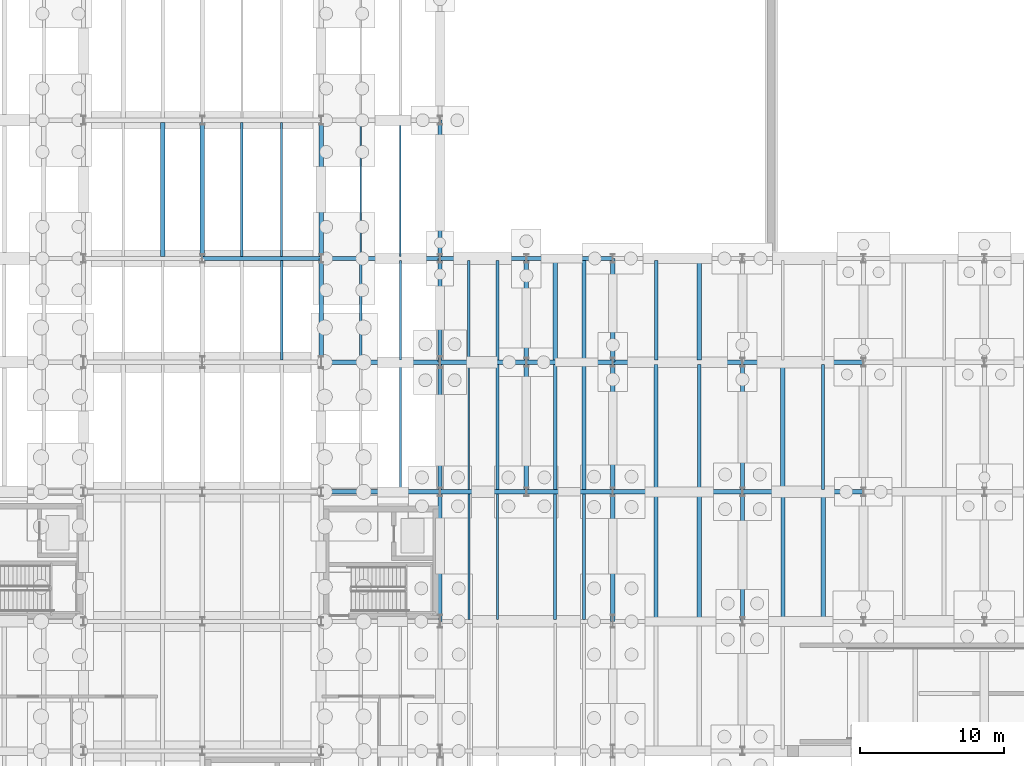
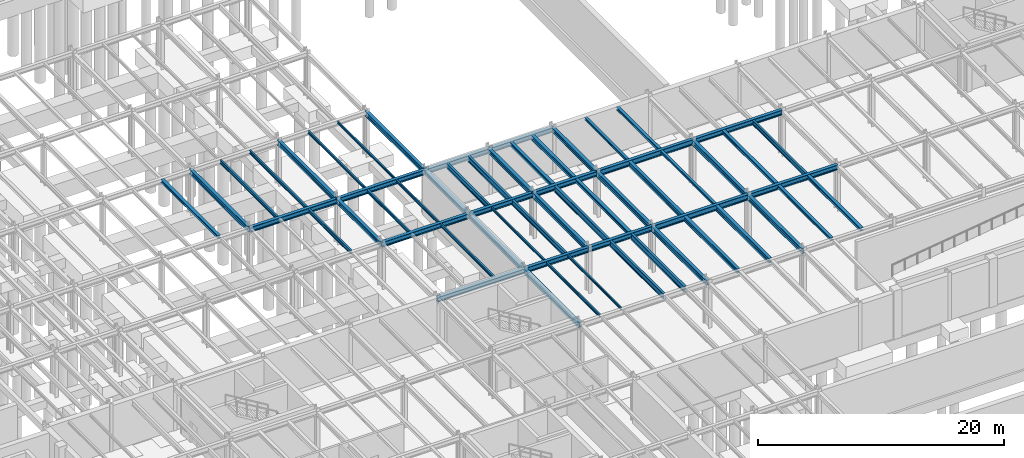
# One storey, part 31 of 59: 59 beams.
"""IFC4 building model written with IfcOpenShell, lengths in metres."""

from ifc_helpers import new_model, si_unit, direction, frame, origin, origin_2d, place, context, subcontext, project, spatial, i_section, extrude, material, material_profile, profile_set, type_object, element, save


model = new_model("IFC4")

# Units and contexts
model_context = context("Model", 3, precision=1e-05, world=origin(), true_north=direction((0.0, 1.0)))
body_context = subcontext(model_context, "Body", "Model", "MODEL_VIEW")
ifc_project = project(units=[si_unit("LENGTHUNIT", "METRE"), si_unit("AREAUNIT", "SQUARE_METRE"), si_unit("VOLUMEUNIT", "CUBIC_METRE"), si_unit("PLANEANGLEUNIT", "RADIAN"), si_unit("MASSUNIT", "GRAM", prefix="KILO")], contexts=[model_context])

# Site, building, storey
site_placement = place(None, origin())
site = spatial("IfcSite", under=ifc_project, at=site_placement, CompositionType="ELEMENT")
building_placement = place(site_placement, origin())
building = spatial("IfcBuilding", under=site, at=building_placement, Name="Montealbar Specialist Clinic", CompositionType="ELEMENT")
storey_placement = place(building_placement, frame((0.0, 0.0, -4.800048828125)))
storey = spatial("IfcBuildingStorey", under=building, at=storey_placement, Name="B01", CompositionType="ELEMENT", Elevation=-4.800048828125)

# Beams
ifc_material = material(Name="Steel S355", Category="steel")
ifc_material_profile_1 = material_profile(ifc_material, i_section(OverallWidth=0.300048828125, OverallDepth=0.449951171875, WebThickness=0.013916015625, FlangeThickness=0.02587890625, FilletRadius=0.027099609375, at=origin_2d()), Name="HEB 450", Category="steel")
ifc_profile_set_1 = profile_set([ifc_material_profile_1], Name="Steel S355")
beam_type_1 = type_object("IfcBeamType", Name="BM-GIRD-HEB450", PredefinedType="BEAM", material=ifc_profile_set_1)
for number, where, z_axis, x_axis, name in (
    (1, (90.75, 45.0, 4.255126953125), (0.0, 1.0, 0.0), (-1.0, 0.0, 0.0), "Beam GY-B01-908-450-522"),
    (2, (99.0, 45.0, 4.255126953125), (0.0, 1.0, 0.0), (-1.0, 0.0, 0.0), "Beam GY-B01-990-450-522"),
    (3, (105.0, 45.0, 4.255126953125), (0.0, 1.0, 0.0), (-1.0, 0.0, 0.0), "Beam GY-B01-1050-450-522"),
    (4, (111.0, 45.0, 4.255126953125), (0.0, 1.0, 0.0), (-1.0, 0.0, 0.0), "Beam GY-B01-1110-450-522"),
):
    element("IfcBeam", number, at=place(storey_placement, frame(where, z_axis=z_axis, x_axis=x_axis)), inside=storey, type_object=beam_type_1, Name=name, PredefinedType="BEAM", context=body_context, shape_type="SweptSolid", body=[
        extrude(i_section(OverallWidth=0.300048828125, OverallDepth=0.449951171875, WebThickness=0.013916015625, FlangeThickness=0.02587890625, FilletRadius=0.027099609375, at=origin_2d()), origin(), (0.0, 0.0, 1.0), 7.199951171875),
    ])
ifc_material_profile_2 = material_profile(ifc_material, i_section(OverallWidth=0.300048828125, OverallDepth=0.5, WebThickness=0.014404296875, FlangeThickness=0.028076171875, FilletRadius=0.027099609375, at=origin_2d()), Name="HEB 500", Category="steel")
ifc_profile_set_2 = profile_set([ifc_material_profile_2], Name="Steel S355")
beam_type_2 = type_object("IfcBeamType", Name="BM-GIRD-HEB500", PredefinedType="BEAM", material=ifc_profile_set_2)
beam_1_placement = place(storey_placement, frame((90.75, 36.0, 4.22998046875), z_axis=(1.0, 0.0, 0.0), x_axis=(0.0, 1.0, 0.0)))
element("IfcBeam", 5, at=beam_1_placement, inside=storey, type_object=beam_type_2, Name="Beam GX-B01-908-990-360", PredefinedType="BEAM", context=body_context, shape_type="SweptSolid", body=[
    extrude(i_section(OverallWidth=0.300048828125, OverallDepth=0.5, WebThickness=0.014404296875, FlangeThickness=0.028076171875, FilletRadius=0.027099609375, at=origin_2d()), origin(), (0.0, 0.0, 1.0), 8.25),
])
for number, where, z_axis, x_axis, name in (
    (6, (99.0, 36.0, 4.22998046875), (1.0, 0.0, 0.0), (0.0, 1.0, 0.0), "Beam GX-B01-990-1050-360"),
    (7, (105.0, 36.0, 4.22998046875), (1.0, 0.0, 0.0), (0.0, 1.0, 0.0), "Beam GX-B01-1050-1110-360"),
):
    element("IfcBeam", number, at=place(storey_placement, frame(where, z_axis=z_axis, x_axis=x_axis)), inside=storey, type_object=beam_type_2, Name=name, PredefinedType="BEAM", context=body_context, shape_type="SweptSolid", body=[
        extrude(i_section(OverallWidth=0.300048828125, OverallDepth=0.5, WebThickness=0.014404296875, FlangeThickness=0.028076171875, FilletRadius=0.027099609375, at=origin_2d()), origin(), (0.0, 0.0, 1.0), 6.0),
    ])
beam_2_placement = place(storey_placement, frame((90.75, 45.0, 4.22998046875), z_axis=(1.0, 0.0, 0.0), x_axis=(0.0, 1.0, 0.0)))
element("IfcBeam", 8, at=beam_2_placement, inside=storey, type_object=beam_type_2, Name="Beam GX-B01-908-990-450", PredefinedType="BEAM", context=body_context, shape_type="SweptSolid", body=[
    extrude(i_section(OverallWidth=0.300048828125, OverallDepth=0.5, WebThickness=0.014404296875, FlangeThickness=0.028076171875, FilletRadius=0.027099609375, at=origin_2d()), origin(), (0.0, 0.0, 1.0), 8.25),
])
for number, where, z_axis, x_axis, name in (
    (9, (99.0, 45.0, 4.22998046875), (1.0, 0.0, 0.0), (0.0, 1.0, 0.0), "Beam GX-B01-990-1050-450"),
    (10, (105.0, 45.0, 4.22998046875), (1.0, 0.0, 0.0), (0.0, 1.0, 0.0), "Beam GX-B01-1050-1110-450"),
):
    element("IfcBeam", number, at=place(storey_placement, frame(where, z_axis=z_axis, x_axis=x_axis)), inside=storey, type_object=beam_type_2, Name=name, PredefinedType="BEAM", context=body_context, shape_type="SweptSolid", body=[
        extrude(i_section(OverallWidth=0.300048828125, OverallDepth=0.5, WebThickness=0.014404296875, FlangeThickness=0.028076171875, FilletRadius=0.027099609375, at=origin_2d()), origin(), (0.0, 0.0, 1.0), 6.0),
    ])
beam_3_placement = place(storey_placement, frame((120.0, 45.0, 4.22998046875), z_axis=(1.0, 0.0, 0.0), x_axis=(0.0, 1.0, 0.0)))
element("IfcBeam", 11, at=beam_3_placement, inside=storey, type_object=beam_type_2, Name="Beam GX-B01-1200-1284-450", PredefinedType="BEAM", context=body_context, shape_type="SweptSolid", body=[
    extrude(i_section(OverallWidth=0.300048828125, OverallDepth=0.5, WebThickness=0.014404296875, FlangeThickness=0.028076171875, FilletRadius=0.027099609375, at=origin_2d()), origin(), (0.0, 0.0, 1.0), 8.39990234375),
])
for number, where, z_axis, x_axis, name in (
    (12, (82.5, 52.199951171875, 4.22998046875), (1.0, 0.0, 0.0), (0.0, 1.0, 0.0), "Beam GX-B01-825-908-522"),
    (13, (90.75, 52.199951171875, 4.22998046875), (1.0, 0.0, 0.0), (0.0, 1.0, 0.0), "Beam GX-B01-908-990-522"),
):
    element("IfcBeam", number, at=place(storey_placement, frame(where, z_axis=z_axis, x_axis=x_axis)), inside=storey, type_object=beam_type_2, Name=name, PredefinedType="BEAM", context=body_context, shape_type="SweptSolid", body=[
        extrude(i_section(OverallWidth=0.300048828125, OverallDepth=0.5, WebThickness=0.014404296875, FlangeThickness=0.028076171875, FilletRadius=0.027099609375, at=origin_2d()), origin(), (0.0, 0.0, 1.0), 8.25),
    ])
for number, where, z_axis, x_axis, name in (
    (14, (82.5, 52.199951171875, 4.22998046875), (0.0, 1.0, 0.0), (-1.0, 0.0, 0.0), "Beam GY-B01-825-522-618"),
    (15, (90.75, 52.199951171875, 4.22998046875), (0.0, 1.0, 0.0), (-1.0, 0.0, 0.0), "Beam GY-B01-908-522-618"),
):
    element("IfcBeam", number, at=place(storey_placement, frame(where, z_axis=z_axis, x_axis=x_axis)), inside=storey, type_object=beam_type_2, Name=name, PredefinedType="BEAM", context=body_context, shape_type="SweptSolid", body=[
        extrude(i_section(OverallWidth=0.300048828125, OverallDepth=0.5, WebThickness=0.014404296875, FlangeThickness=0.028076171875, FilletRadius=0.027099609375, at=origin_2d()), origin(), (0.0, 0.0, 1.0), 9.60009765625),
    ])
for number, where, z_axis, x_axis, name in (
    (16, (99.0, 27.0, 4.22998046875), (0.0, 1.0, 0.0), (-1.0, 0.0, 0.0), "Beam GY-B01-990-270-360"),
    (17, (99.0, 36.0, 4.22998046875), (0.0, 1.0, 0.0), (-1.0, 0.0, 0.0), "Beam GY-B01-990-360-450"),
    (18, (105.0, 36.0, 4.22998046875), (0.0, 1.0, 0.0), (-1.0, 0.0, 0.0), "Beam GY-B01-1050-360-450"),
    (19, (111.0, 27.0, 4.22998046875), (0.0, 1.0, 0.0), (-1.0, 0.0, 0.0), "Beam GY-B01-1110-270-360"),
    (20, (111.0, 36.0, 4.22998046875), (0.0, 1.0, 0.0), (-1.0, 0.0, 0.0), "Beam GY-B01-1110-360-450"),
    (21, (120.0, 36.0, 4.22998046875), (0.0, 1.0, 0.0), (-1.0, 0.0, 0.0), "Beam GY-B01-1200-360-450"),
):
    element("IfcBeam", number, at=place(storey_placement, frame(where, z_axis=z_axis, x_axis=x_axis)), inside=storey, type_object=beam_type_2, Name=name, PredefinedType="BEAM", context=body_context, shape_type="SweptSolid", body=[
        extrude(i_section(OverallWidth=0.300048828125, OverallDepth=0.5, WebThickness=0.014404296875, FlangeThickness=0.028076171875, FilletRadius=0.027099609375, at=origin_2d()), origin(), (0.0, 0.0, 1.0), 9.0),
    ])
ifc_material_profile_3 = material_profile(ifc_material, i_section(OverallWidth=0.300048828125, OverallDepth=0.5, WebThickness=0.014404296875, FlangeThickness=0.028076171875, FilletRadius=0.027099609375, at=origin_2d()), Name="HEB 500", Category="steel")
ifc_profile_set_3 = profile_set([ifc_material_profile_3], Name="Steel S355")
beam_type_3 = type_object("IfcBeamType", Name="BM-GIRD-HEB500-EXT", PredefinedType="BEAM", material=ifc_profile_set_3)
beam_4_placement = place(storey_placement, frame((120.0, 36.0, 4.22998046875), z_axis=(1.0, 0.0, 0.0), x_axis=(0.0, 1.0, 0.0)))
element("IfcBeam", 22, at=beam_4_placement, inside=storey, type_object=beam_type_3, Name="Beam GX-B01-1200-1284-360", PredefinedType="BEAM", context=body_context, shape_type="SweptSolid", body=[
    extrude(i_section(OverallWidth=0.300048828125, OverallDepth=0.5, WebThickness=0.014404296875, FlangeThickness=0.028076171875, FilletRadius=0.027099609375, at=origin_2d()), origin(), (0.0, 0.0, 1.0), 8.39990234375),
])
for number, where, z_axis, x_axis, name in (
    (23, (99.0, 52.199951171875, 4.22998046875), (1.0, 0.0, 0.0), (0.0, 1.0, 0.0), "Beam GX-B01-990-1050-522"),
    (24, (105.0, 52.199951171875, 4.22998046875), (1.0, 0.0, 0.0), (0.0, 1.0, 0.0), "Beam GX-B01-1050-1110-522"),
):
    element("IfcBeam", number, at=place(storey_placement, frame(where, z_axis=z_axis, x_axis=x_axis)), inside=storey, type_object=beam_type_3, Name=name, PredefinedType="BEAM", context=body_context, shape_type="SweptSolid", body=[
        extrude(i_section(OverallWidth=0.300048828125, OverallDepth=0.5, WebThickness=0.014404296875, FlangeThickness=0.028076171875, FilletRadius=0.027099609375, at=origin_2d()), origin(), (0.0, 0.0, 1.0), 6.0),
    ])
beam_5_placement = place(storey_placement, frame((99.0, 52.199951171875, 4.22998046875), z_axis=(0.0, 1.0, 0.0), x_axis=(-1.0, 0.0, 0.0)))
element("IfcBeam", 25, at=beam_5_placement, inside=storey, type_object=beam_type_3, Name="Beam GY-B01-990-522-618", PredefinedType="BEAM", context=body_context, shape_type="SweptSolid", body=[
    extrude(i_section(OverallWidth=0.300048828125, OverallDepth=0.5, WebThickness=0.014404296875, FlangeThickness=0.028076171875, FilletRadius=0.027099609375, at=origin_2d()), origin(), (0.0, 0.0, 1.0), 9.60009765625),
])
beam_6_placement = place(storey_placement, frame((120.0, 27.0, 4.22998046875), z_axis=(0.0, 1.0, 0.0), x_axis=(-1.0, 0.0, 0.0)))
element("IfcBeam", 26, at=beam_6_placement, inside=storey, type_object=beam_type_3, Name="Beam GY-B01-1200-270-360", PredefinedType="BEAM", context=body_context, shape_type="SweptSolid", body=[
    extrude(i_section(OverallWidth=0.300048828125, OverallDepth=0.5, WebThickness=0.014404296875, FlangeThickness=0.028076171875, FilletRadius=0.027099609375, at=origin_2d()), origin(), (0.0, 0.0, 1.0), 9.0),
])
ifc_material_profile_4 = material_profile(ifc_material, i_section(OverallWidth=0.300048828125, OverallDepth=0.550048828125, WebThickness=0.014892578125, FlangeThickness=0.029052734375, FilletRadius=0.027099609375, at=origin_2d()), Name="HEB 550", Category="steel")
ifc_profile_set_4 = profile_set([ifc_material_profile_4], Name="Steel S355")
beam_type_4 = type_object("IfcBeamType", Name="BM-GIRD-HEB550", PredefinedType="BEAM", material=ifc_profile_set_4)
for number, where, z_axis, x_axis, name in (
    (27, (111.0, 36.0, 4.205078125), (1.0, 0.0, 0.0), (0.0, 1.0, 0.0), "Beam GX-B01-1110-1200-360"),
    (28, (111.0, 45.0, 4.205078125), (1.0, 0.0, 0.0), (0.0, 1.0, 0.0), "Beam GX-B01-1110-1200-450"),
):
    element("IfcBeam", number, at=place(storey_placement, frame(where, z_axis=z_axis, x_axis=x_axis)), inside=storey, type_object=beam_type_4, Name=name, PredefinedType="BEAM", context=body_context, shape_type="SweptSolid", body=[
        extrude(i_section(OverallWidth=0.300048828125, OverallDepth=0.550048828125, WebThickness=0.014892578125, FlangeThickness=0.029052734375, FilletRadius=0.027099609375, at=origin_2d()), origin(), (0.0, 0.0, 1.0), 9.0),
    ])
ifc_material_profile_5 = material_profile(ifc_material, i_section(OverallWidth=0.300048828125, OverallDepth=0.35009765625, WebThickness=0.010009765625, FlangeThickness=0.017578125, FilletRadius=0.027099609375, at=origin_2d()), Name="HEA 360", Category="steel")
ifc_profile_set_5 = profile_set([ifc_material_profile_5], Name="Steel S355")
beam_type_5 = type_object("IfcBeamType", Name="BM-JST-HEA360", PredefinedType="JOIST", material=ifc_profile_set_5)
beam_7_placement = place(storey_placement, frame((109.0, 36.14990234375, 4.304931640625), z_axis=(0.0, 1.0, 0.0), x_axis=(-1.0, 0.0, 0.0)))
element("IfcBeam", 29, at=beam_7_placement, inside=storey, type_object=beam_type_5, Name="Beam JST-B01-1090-362-448", PredefinedType="JOIST", context=body_context, shape_type="SweptSolid", body=[
    extrude(i_section(OverallWidth=0.300048828125, OverallDepth=0.35009765625, WebThickness=0.010009765625, FlangeThickness=0.017578125, FilletRadius=0.027099609375, at=origin_2d()), origin(), (0.0, 0.0, 1.0), 8.7001953125),
])
beam_8_placement = place(storey_placement, frame((107.0, 45.14990234375, 4.304931640625), z_axis=(0.0, 1.0, 0.0), x_axis=(-1.0, 0.0, 0.0)))
element("IfcBeam", 30, at=beam_8_placement, inside=storey, type_object=beam_type_5, Name="Beam JST-B01-1070-452-520", PredefinedType="JOIST", context=body_context, shape_type="SweptSolid", body=[
    extrude(i_section(OverallWidth=0.300048828125, OverallDepth=0.35009765625, WebThickness=0.010009765625, FlangeThickness=0.017578125, FilletRadius=0.027099609375, at=origin_2d()), origin(), (0.0, 0.0, 1.0), 6.900146484375),
])
ifc_material_profile_6 = material_profile(ifc_material, i_section(OverallWidth=0.300048828125, OverallDepth=0.43994140625, WebThickness=0.011474609375, FlangeThickness=0.02099609375, FilletRadius=0.027099609375, at=origin_2d()), Name="HEA 450", Category="steel")
ifc_profile_set_6 = profile_set([ifc_material_profile_6], Name="Steel S355")
beam_type_6 = type_object("IfcBeamType", Name="BM-JST-HEA450", PredefinedType="JOIST", material=ifc_profile_set_6)
beam_9_placement = place(storey_placement, frame((109.0, 45.14990234375, 4.260009765625), z_axis=(0.0, 1.0, 0.0), x_axis=(-1.0, 0.0, 0.0)))
element("IfcBeam", 31, at=beam_9_placement, inside=storey, type_object=beam_type_6, Name="Beam JST-B01-1090-452-520", PredefinedType="JOIST", context=body_context, shape_type="SweptSolid", body=[
    extrude(i_section(OverallWidth=0.300048828125, OverallDepth=0.43994140625, WebThickness=0.011474609375, FlangeThickness=0.02099609375, FilletRadius=0.027099609375, at=origin_2d()), origin(), (0.0, 0.0, 1.0), 6.900146484375),
])
beam_10_placement = place(storey_placement, frame((114.0, 27.14990234375, 4.260009765625), z_axis=(0.0, 1.0, 0.0), x_axis=(-1.0, 0.0, 0.0)))
element("IfcBeam", 32, at=beam_10_placement, inside=storey, type_object=beam_type_6, Name="Beam JST-B01-1140-272-358", PredefinedType="JOIST", context=body_context, shape_type="SweptSolid", body=[
    extrude(i_section(OverallWidth=0.300048828125, OverallDepth=0.43994140625, WebThickness=0.011474609375, FlangeThickness=0.02099609375, FilletRadius=0.027099609375, at=origin_2d()), origin(), (0.0, 0.0, 1.0), 8.7001953125),
])
ifc_material_profile_7 = material_profile(ifc_material, i_section(OverallWidth=0.300048828125, OverallDepth=0.489990234375, WebThickness=0.011962890625, FlangeThickness=0.02294921875, FilletRadius=0.027099609375, at=origin_2d()), Name="HEA 500", Category="steel")
ifc_profile_set_7 = profile_set([ifc_material_profile_7], Name="Steel S355")
beam_type_7 = type_object("IfcBeamType", Name="BM-JST-HEA500", PredefinedType="JOIST", material=ifc_profile_set_7)
for number, where, z_axis, x_axis, name in (
    (33, (117.0, 27.14990234375, 4.235107421875), (0.0, 1.0, 0.0), (-1.0, 0.0, 0.0), "Beam JST-B01-1170-272-358"),
    (34, (114.0, 36.14990234375, 4.235107421875), (0.0, 1.0, 0.0), (-1.0, 0.0, 0.0), "Beam JST-B01-1140-362-448"),
):
    element("IfcBeam", number, at=place(storey_placement, frame(where, z_axis=z_axis, x_axis=x_axis)), inside=storey, type_object=beam_type_7, Name=name, PredefinedType="JOIST", context=body_context, shape_type="SweptSolid", body=[
        extrude(i_section(OverallWidth=0.300048828125, OverallDepth=0.489990234375, WebThickness=0.011962890625, FlangeThickness=0.02294921875, FilletRadius=0.027099609375, at=origin_2d()), origin(), (0.0, 0.0, 1.0), 8.7001953125),
    ])
ifc_material_profile_8 = material_profile(ifc_material, i_section(OverallWidth=0.239990234375, OverallDepth=0.239990234375, WebThickness=0.010009765625, FlangeThickness=0.01708984375, FilletRadius=0.02099609375, at=origin_2d()), Name="HEB 240", Category="steel")
ifc_profile_set_8 = profile_set([ifc_material_profile_8], Name="Steel S355")
beam_type_8 = type_object("IfcBeamType", Name="BM-JST-HEB240", PredefinedType="JOIST", material=ifc_profile_set_8)
beam_11_placement = place(storey_placement, frame((117.0, 36.14990234375, 4.360107421875), z_axis=(0.0, 1.0, 0.0), x_axis=(-1.0, 0.0, 0.0)))
element("IfcBeam", 35, at=beam_11_placement, inside=storey, type_object=beam_type_8, Name="Beam JST-B01-1170-362-448", PredefinedType="JOIST", context=body_context, shape_type="SweptSolid", body=[
    extrude(i_section(OverallWidth=0.239990234375, OverallDepth=0.239990234375, WebThickness=0.010009765625, FlangeThickness=0.01708984375, FilletRadius=0.02099609375, at=origin_2d()), origin(), (0.0, 0.0, 1.0), 8.7001953125),
])
beam_12_placement = place(storey_placement, frame((114.0, 45.14990234375, 4.360107421875), z_axis=(0.0, 1.0, 0.0), x_axis=(-1.0, 0.0, 0.0)))
element("IfcBeam", 36, at=beam_12_placement, inside=storey, type_object=beam_type_8, Name="Beam JST-B01-1140-452-520", PredefinedType="JOIST", context=body_context, shape_type="SweptSolid", body=[
    extrude(i_section(OverallWidth=0.239990234375, OverallDepth=0.239990234375, WebThickness=0.010009765625, FlangeThickness=0.01708984375, FilletRadius=0.02099609375, at=origin_2d()), origin(), (0.0, 0.0, 1.0), 6.900146484375),
])
ifc_material_profile_9 = material_profile(ifc_material, i_section(OverallWidth=0.280029296875, OverallDepth=0.280029296875, WebThickness=0.010498046875, FlangeThickness=0.01806640625, FilletRadius=0.02392578125, at=origin_2d()), Name="HEB 280", Category="steel")
ifc_profile_set_9 = profile_set([ifc_material_profile_9], Name="Steel S355")
beam_type_9 = type_object("IfcBeamType", Name="BM-JST-HEB280", PredefinedType="JOIST", material=ifc_profile_set_9)
beam_13_placement = place(storey_placement, frame((117.0, 45.14990234375, 4.340087890625), z_axis=(0.0, 1.0, 0.0), x_axis=(-1.0, 0.0, 0.0)))
element("IfcBeam", 37, at=beam_13_placement, inside=storey, type_object=beam_type_9, Name="Beam JST-B01-1170-452-520", PredefinedType="JOIST", context=body_context, shape_type="SweptSolid", body=[
    extrude(i_section(OverallWidth=0.280029296875, OverallDepth=0.280029296875, WebThickness=0.010498046875, FlangeThickness=0.01806640625, FilletRadius=0.02392578125, at=origin_2d()), origin(), (0.0, 0.0, 1.0), 6.900146484375),
])
beam_14_placement = place(storey_placement, frame((122.800048828125, 27.14990234375, 4.340087890625), z_axis=(0.0, 1.0, 0.0), x_axis=(-1.0, 0.0, 0.0)))
element("IfcBeam", 38, at=beam_14_placement, inside=storey, type_object=beam_type_9, Name="Beam JST-B01-1228-272-358", PredefinedType="JOIST", context=body_context, shape_type="SweptSolid", body=[
    extrude(i_section(OverallWidth=0.280029296875, OverallDepth=0.280029296875, WebThickness=0.010498046875, FlangeThickness=0.01806640625, FilletRadius=0.02392578125, at=origin_2d()), origin(), (0.0, 0.0, 1.0), 8.7001953125),
])
ifc_material_profile_10 = material_profile(ifc_material, i_section(OverallWidth=0.300048828125, OverallDepth=0.320068359375, WebThickness=0.011474609375, FlangeThickness=0.0205078125, FilletRadius=0.027099609375, at=origin_2d()), Name="HEB 320", Category="steel")
ifc_profile_set_10 = profile_set([ifc_material_profile_10], Name="Steel S355")
beam_type_10 = type_object("IfcBeamType", Name="BM-JST-HEB320", PredefinedType="JOIST", material=ifc_profile_set_10)
for number, where, z_axis, x_axis, name in (
    (39, (125.60009765625, 27.14990234375, 4.320068359375), (0.0, 1.0, 0.0), (-1.0, 0.0, 0.0), "Beam JST-B01-1256-272-358"),
    (40, (122.800048828125, 36.14990234375, 4.320068359375), (0.0, 1.0, 0.0), (-1.0, 0.0, 0.0), "Beam JST-B01-1228-362-448"),
):
    element("IfcBeam", number, at=place(storey_placement, frame(where, z_axis=z_axis, x_axis=x_axis)), inside=storey, type_object=beam_type_10, Name=name, PredefinedType="JOIST", context=body_context, shape_type="SweptSolid", body=[
        extrude(i_section(OverallWidth=0.300048828125, OverallDepth=0.320068359375, WebThickness=0.011474609375, FlangeThickness=0.0205078125, FilletRadius=0.027099609375, at=origin_2d()), origin(), (0.0, 0.0, 1.0), 8.7001953125),
    ])
ifc_material_profile_11 = material_profile(ifc_material, i_section(OverallWidth=0.1201171875, OverallDepth=0.239990234375, WebThickness=0.006103515625, FlangeThickness=0.009765625, FilletRadius=0.014892578125, at=origin_2d()), Name="IPE 240", Category="steel")
ifc_profile_set_11 = profile_set([ifc_material_profile_11], Name="Steel S355")
beam_type_11 = type_object("IfcBeamType", Name="BM-JST-IPE240", PredefinedType="JOIST", material=ifc_profile_set_11)
beam_15_placement = place(storey_placement, frame((96.25, 52.35009765625, 4.360107421875), z_axis=(0.0, 1.0, 0.0), x_axis=(-1.0, 0.0, 0.0)))
element("IfcBeam", 41, at=beam_15_placement, inside=storey, type_object=beam_type_11, Name="Beam JST-B01-962-524-616", PredefinedType="JOIST", context=body_context, shape_type="SweptSolid", body=[
    extrude(i_section(OverallWidth=0.1201171875, OverallDepth=0.239990234375, WebThickness=0.006103515625, FlangeThickness=0.009765625, FilletRadius=0.014892578125, at=origin_2d()), origin(), (0.0, 0.0, 1.0), 9.2998046875),
])
for number, where, z_axis, x_axis, name in (
    (42, (103.0, 27.14990234375, 4.360107421875), (0.0, 1.0, 0.0), (-1.0, 0.0, 0.0), "Beam JST-B01-1030-272-358"),
    (43, (101.0, 36.14990234375, 4.360107421875), (0.0, 1.0, 0.0), (-1.0, 0.0, 0.0), "Beam JST-B01-1010-362-448"),
):
    element("IfcBeam", number, at=place(storey_placement, frame(where, z_axis=z_axis, x_axis=x_axis)), inside=storey, type_object=beam_type_11, Name=name, PredefinedType="JOIST", context=body_context, shape_type="SweptSolid", body=[
        extrude(i_section(OverallWidth=0.1201171875, OverallDepth=0.239990234375, WebThickness=0.006103515625, FlangeThickness=0.009765625, FilletRadius=0.014892578125, at=origin_2d()), origin(), (0.0, 0.0, 1.0), 8.7001953125),
    ])
ifc_material_profile_12 = material_profile(ifc_material, i_section(OverallWidth=0.135009765625, OverallDepth=0.27001953125, WebThickness=0.006591796875, FlangeThickness=0.01025390625, FilletRadius=0.014892578125, at=origin_2d()), Name="IPE 270", Category="steel")
ifc_profile_set_12 = profile_set([ifc_material_profile_12], Name="Steel S355")
beam_type_12 = type_object("IfcBeamType", Name="BM-JST-IPE270", PredefinedType="JOIST", material=ifc_profile_set_12)
beam_16_placement = place(storey_placement, frame((96.25, 45.14990234375, 4.344970703125), z_axis=(0.0, 1.0, 0.0), x_axis=(-1.0, 0.0, 0.0)))
element("IfcBeam", 44, at=beam_16_placement, inside=storey, type_object=beam_type_12, Name="Beam JST-B01-962-452-520", PredefinedType="JOIST", context=body_context, shape_type="SweptSolid", body=[
    extrude(i_section(OverallWidth=0.135009765625, OverallDepth=0.27001953125, WebThickness=0.006591796875, FlangeThickness=0.01025390625, FilletRadius=0.014892578125, at=origin_2d()), origin(), (0.0, 0.0, 1.0), 6.900146484375),
])
beam_17_placement = place(storey_placement, frame((93.5, 52.35009765625, 4.344970703125), z_axis=(0.0, 1.0, 0.0), x_axis=(-1.0, 0.0, 0.0)))
element("IfcBeam", 45, at=beam_17_placement, inside=storey, type_object=beam_type_12, Name="Beam JST-B01-935-524-616", PredefinedType="JOIST", context=body_context, shape_type="SweptSolid", body=[
    extrude(i_section(OverallWidth=0.135009765625, OverallDepth=0.27001953125, WebThickness=0.006591796875, FlangeThickness=0.01025390625, FilletRadius=0.014892578125, at=origin_2d()), origin(), (0.0, 0.0, 1.0), 9.2998046875),
])
beam_18_placement = place(storey_placement, frame((101.0, 27.14990234375, 4.344970703125), z_axis=(0.0, 1.0, 0.0), x_axis=(-1.0, 0.0, 0.0)))
element("IfcBeam", 46, at=beam_18_placement, inside=storey, type_object=beam_type_12, Name="Beam JST-B01-1010-272-358", PredefinedType="JOIST", context=body_context, shape_type="SweptSolid", body=[
    extrude(i_section(OverallWidth=0.135009765625, OverallDepth=0.27001953125, WebThickness=0.006591796875, FlangeThickness=0.01025390625, FilletRadius=0.014892578125, at=origin_2d()), origin(), (0.0, 0.0, 1.0), 8.7001953125),
])
ifc_material_profile_13 = material_profile(ifc_material, i_section(OverallWidth=0.14990234375, OverallDepth=0.300048828125, WebThickness=0.007080078125, FlangeThickness=0.0107421875, FilletRadius=0.014892578125, at=origin_2d()), Name="IPE 300", Category="steel")
ifc_profile_set_13 = profile_set([ifc_material_profile_13], Name="Steel S355")
beam_type_13 = type_object("IfcBeamType", Name="BM-JST-IPE300", PredefinedType="JOIST", material=ifc_profile_set_13)
beam_19_placement = place(storey_placement, frame((96.25, 36.14990234375, 4.330078125), z_axis=(0.0, 1.0, 0.0), x_axis=(-1.0, 0.0, 0.0)))
element("IfcBeam", 47, at=beam_19_placement, inside=storey, type_object=beam_type_13, Name="Beam JST-B01-962-362-448", PredefinedType="JOIST", context=body_context, shape_type="SweptSolid", body=[
    extrude(i_section(OverallWidth=0.14990234375, OverallDepth=0.300048828125, WebThickness=0.007080078125, FlangeThickness=0.0107421875, FilletRadius=0.014892578125, at=origin_2d()), origin(), (0.0, 0.0, 1.0), 8.7001953125),
])
beam_20_placement = place(storey_placement, frame((93.5, 45.14990234375, 4.330078125), z_axis=(0.0, 1.0, 0.0), x_axis=(-1.0, 0.0, 0.0)))
element("IfcBeam", 48, at=beam_20_placement, inside=storey, type_object=beam_type_13, Name="Beam JST-B01-935-452-520", PredefinedType="JOIST", context=body_context, shape_type="SweptSolid", body=[
    extrude(i_section(OverallWidth=0.14990234375, OverallDepth=0.300048828125, WebThickness=0.007080078125, FlangeThickness=0.0107421875, FilletRadius=0.014892578125, at=origin_2d()), origin(), (0.0, 0.0, 1.0), 6.900146484375),
])
ifc_material_profile_14 = material_profile(ifc_material, i_section(OverallWidth=0.159912109375, OverallDepth=0.330078125, WebThickness=0.007568359375, FlangeThickness=0.011474609375, FilletRadius=0.01806640625, at=origin_2d()), Name="IPE 330", Category="steel")
ifc_profile_set_14 = profile_set([ifc_material_profile_14], Name="Steel S355")
beam_type_14 = type_object("IfcBeamType", Name="BM-JST-IPE330", PredefinedType="JOIST", material=ifc_profile_set_14)
beam_21_placement = place(storey_placement, frame((88.0, 52.35009765625, 4.31494140625), z_axis=(0.0, 1.0, 0.0), x_axis=(-1.0, 0.0, 0.0)))
element("IfcBeam", 49, at=beam_21_placement, inside=storey, type_object=beam_type_14, Name="Beam JST-B01-880-524-616", PredefinedType="JOIST", context=body_context, shape_type="SweptSolid", body=[
    extrude(i_section(OverallWidth=0.159912109375, OverallDepth=0.330078125, WebThickness=0.007568359375, FlangeThickness=0.011474609375, FilletRadius=0.01806640625, at=origin_2d()), origin(), (0.0, 0.0, 1.0), 9.2998046875),
])
ifc_material_profile_15 = material_profile(ifc_material, i_section(OverallWidth=0.169921875, OverallDepth=0.360107421875, WebThickness=0.008056640625, FlangeThickness=0.0126953125, FilletRadius=0.01806640625, at=origin_2d()), Name="IPE 360", Category="steel")
ifc_profile_set_15 = profile_set([ifc_material_profile_15], Name="Steel S355")
beam_type_15 = type_object("IfcBeamType", Name="BM-JST-IPE360", PredefinedType="JOIST", material=ifc_profile_set_15)
beam_22_placement = place(storey_placement, frame((88.0, 45.14990234375, 4.300048828125), z_axis=(0.0, 1.0, 0.0), x_axis=(-1.0, 0.0, 0.0)))
element("IfcBeam", 50, at=beam_22_placement, inside=storey, type_object=beam_type_15, Name="Beam JST-B01-880-452-520", PredefinedType="JOIST", context=body_context, shape_type="SweptSolid", body=[
    extrude(i_section(OverallWidth=0.169921875, OverallDepth=0.360107421875, WebThickness=0.008056640625, FlangeThickness=0.0126953125, FilletRadius=0.01806640625, at=origin_2d()), origin(), (0.0, 0.0, 1.0), 6.900146484375),
])
beam_23_placement = place(storey_placement, frame((85.25, 52.35009765625, 4.300048828125), z_axis=(0.0, 1.0, 0.0), x_axis=(-1.0, 0.0, 0.0)))
element("IfcBeam", 51, at=beam_23_placement, inside=storey, type_object=beam_type_15, Name="Beam JST-B01-852-524-616", PredefinedType="JOIST", context=body_context, shape_type="SweptSolid", body=[
    extrude(i_section(OverallWidth=0.169921875, OverallDepth=0.360107421875, WebThickness=0.008056640625, FlangeThickness=0.0126953125, FilletRadius=0.01806640625, at=origin_2d()), origin(), (0.0, 0.0, 1.0), 9.2998046875),
])
ifc_material_profile_16 = material_profile(ifc_material, i_section(OverallWidth=0.199951171875, OverallDepth=0.5, WebThickness=0.01025390625, FlangeThickness=0.01611328125, FilletRadius=0.02099609375, at=origin_2d()), Name="IPE 500", Category="steel")
ifc_profile_set_16 = profile_set([ifc_material_profile_16], Name="Steel S355")
beam_type_16 = type_object("IfcBeamType", Name="BM-JST-IPE500", PredefinedType="JOIST", material=ifc_profile_set_16)
beam_24_placement = place(storey_placement, frame((103.0, 36.14990234375, 4.22998046875), z_axis=(0.0, 1.0, 0.0), x_axis=(-1.0, 0.0, 0.0)))
element("IfcBeam", 52, at=beam_24_placement, inside=storey, type_object=beam_type_16, Name="Beam JST-B01-1030-362-448", PredefinedType="JOIST", context=body_context, shape_type="SweptSolid", body=[
    extrude(i_section(OverallWidth=0.199951171875, OverallDepth=0.5, WebThickness=0.01025390625, FlangeThickness=0.01611328125, FilletRadius=0.02099609375, at=origin_2d()), origin(), (0.0, 0.0, 1.0), 8.7001953125),
])
beam_25_placement = place(storey_placement, frame((101.0, 45.14990234375, 4.22998046875), z_axis=(0.0, 1.0, 0.0), x_axis=(-1.0, 0.0, 0.0)))
element("IfcBeam", 53, at=beam_25_placement, inside=storey, type_object=beam_type_16, Name="Beam JST-B01-1010-452-520", PredefinedType="JOIST", context=body_context, shape_type="SweptSolid", body=[
    extrude(i_section(OverallWidth=0.199951171875, OverallDepth=0.5, WebThickness=0.01025390625, FlangeThickness=0.01611328125, FilletRadius=0.02099609375, at=origin_2d()), origin(), (0.0, 0.0, 1.0), 6.900146484375),
])
ifc_material_profile_17 = material_profile(ifc_material, i_section(OverallWidth=0.2099609375, OverallDepth=0.550048828125, WebThickness=0.010986328125, FlangeThickness=0.01708984375, FilletRadius=0.02392578125, at=origin_2d()), Name="IPE 550", Category="steel")
ifc_profile_set_17 = profile_set([ifc_material_profile_17], Name="Steel S355")
beam_type_17 = type_object("IfcBeamType", Name="BM-JST-IPE550", PredefinedType="JOIST", material=ifc_profile_set_17)
beam_26_placement = place(storey_placement, frame((103.0, 45.14990234375, 4.205078125), z_axis=(0.0, 1.0, 0.0), x_axis=(-1.0, 0.0, 0.0)))
element("IfcBeam", 54, at=beam_26_placement, inside=storey, type_object=beam_type_17, Name="Beam JST-B01-1030-452-520", PredefinedType="JOIST", context=body_context, shape_type="SweptSolid", body=[
    extrude(i_section(OverallWidth=0.2099609375, OverallDepth=0.550048828125, WebThickness=0.010986328125, FlangeThickness=0.01708984375, FilletRadius=0.02392578125, at=origin_2d()), origin(), (0.0, 0.0, 1.0), 6.900146484375),
])
beam_27_placement = place(storey_placement, frame((107.0, 27.14990234375, 4.205078125), z_axis=(0.0, 1.0, 0.0), x_axis=(-1.0, 0.0, 0.0)))
element("IfcBeam", 55, at=beam_27_placement, inside=storey, type_object=beam_type_17, Name="Beam JST-B01-1070-272-358", PredefinedType="JOIST", context=body_context, shape_type="SweptSolid", body=[
    extrude(i_section(OverallWidth=0.2099609375, OverallDepth=0.550048828125, WebThickness=0.010986328125, FlangeThickness=0.01708984375, FilletRadius=0.02392578125, at=origin_2d()), origin(), (0.0, 0.0, 1.0), 8.7001953125),
])
ifc_material_profile_18 = material_profile(ifc_material, i_section(OverallWidth=0.219970703125, OverallDepth=0.60009765625, WebThickness=0.011962890625, FlangeThickness=0.01904296875, FilletRadius=0.02392578125, at=origin_2d()), Name="IPE 600", Category="steel")
ifc_profile_set_18 = profile_set([ifc_material_profile_18], Name="Steel S355")
beam_type_18 = type_object("IfcBeamType", Name="BM-JST-IPE600", PredefinedType="JOIST", material=ifc_profile_set_18)
for number, where, z_axis, x_axis, name in (
    (56, (109.0, 27.14990234375, 4.179931640625), (0.0, 1.0, 0.0), (-1.0, 0.0, 0.0), "Beam JST-B01-1090-272-358"),
    (57, (107.0, 36.14990234375, 4.179931640625), (0.0, 1.0, 0.0), (-1.0, 0.0, 0.0), "Beam JST-B01-1070-362-448"),
):
    element("IfcBeam", number, at=place(storey_placement, frame(where, z_axis=z_axis, x_axis=x_axis)), inside=storey, type_object=beam_type_18, Name=name, PredefinedType="JOIST", context=body_context, shape_type="SweptSolid", body=[
        extrude(i_section(OverallWidth=0.219970703125, OverallDepth=0.60009765625, WebThickness=0.011962890625, FlangeThickness=0.01904296875, FilletRadius=0.02392578125, at=origin_2d()), origin(), (0.0, 0.0, 1.0), 8.7001953125),
    ])
ifc_material_profile_19 = material_profile(ifc_material, i_section(OverallWidth=0.18994140625, OverallDepth=0.449951171875, WebThickness=0.009521484375, FlangeThickness=0.0146484375, FilletRadius=0.02099609375, at=origin_2d()), Name="IPE 450", Category="steel")
ifc_profile_set_19 = profile_set([ifc_material_profile_19], Name="Steel S355")
beam_type_19 = type_object("IfcBeamType", Name="BM-SEC-IPE450", PredefinedType="BEAM", material=ifc_profile_set_19)
beam_28_placement = place(storey_placement, frame((125.60009765625, 36.14990234375, 4.255126953125), z_axis=(0.0, 1.0, 0.0), x_axis=(-1.0, 0.0, 0.0)))
element("IfcBeam", 58, at=beam_28_placement, inside=storey, type_object=beam_type_19, Name="Beam JST-B01-1256-362-448", PredefinedType="BEAM", context=body_context, shape_type="SweptSolid", body=[
    extrude(i_section(OverallWidth=0.18994140625, OverallDepth=0.449951171875, WebThickness=0.009521484375, FlangeThickness=0.0146484375, FilletRadius=0.02099609375, at=origin_2d()), origin(), (0.0, 0.0, 1.0), 8.7001953125),
])
ifc_material_profile_20 = material_profile(ifc_material, i_section(OverallWidth=0.300048828125, OverallDepth=0.2900390625, WebThickness=0.008544921875, FlangeThickness=0.013916015625, FilletRadius=0.027099609375, at=origin_2d()), Name="HEA 300", Category="steel")
ifc_profile_set_20 = profile_set([ifc_material_profile_20], Name="Steel S355")
beam_type_20 = type_object("IfcBeamType", Name="BM-SPAND-HEA300", PredefinedType="SPANDREL", material=ifc_profile_set_20)
beam_29_placement = place(storey_placement, frame((79.75, 52.35009765625, 4.3349609375), z_axis=(0.0, 1.0, 0.0), x_axis=(-1.0, 0.0, 0.0)))
element("IfcBeam", 59, at=beam_29_placement, inside=storey, type_object=beam_type_20, Name="Beam JST-B01-798-524-616", PredefinedType="SPANDREL", context=body_context, shape_type="SweptSolid", body=[
    extrude(i_section(OverallWidth=0.300048828125, OverallDepth=0.2900390625, WebThickness=0.008544921875, FlangeThickness=0.013916015625, FilletRadius=0.027099609375, at=origin_2d()), origin(), (0.0, 0.0, 1.0), 9.2998046875),
])

save(model, "model.ifc")
